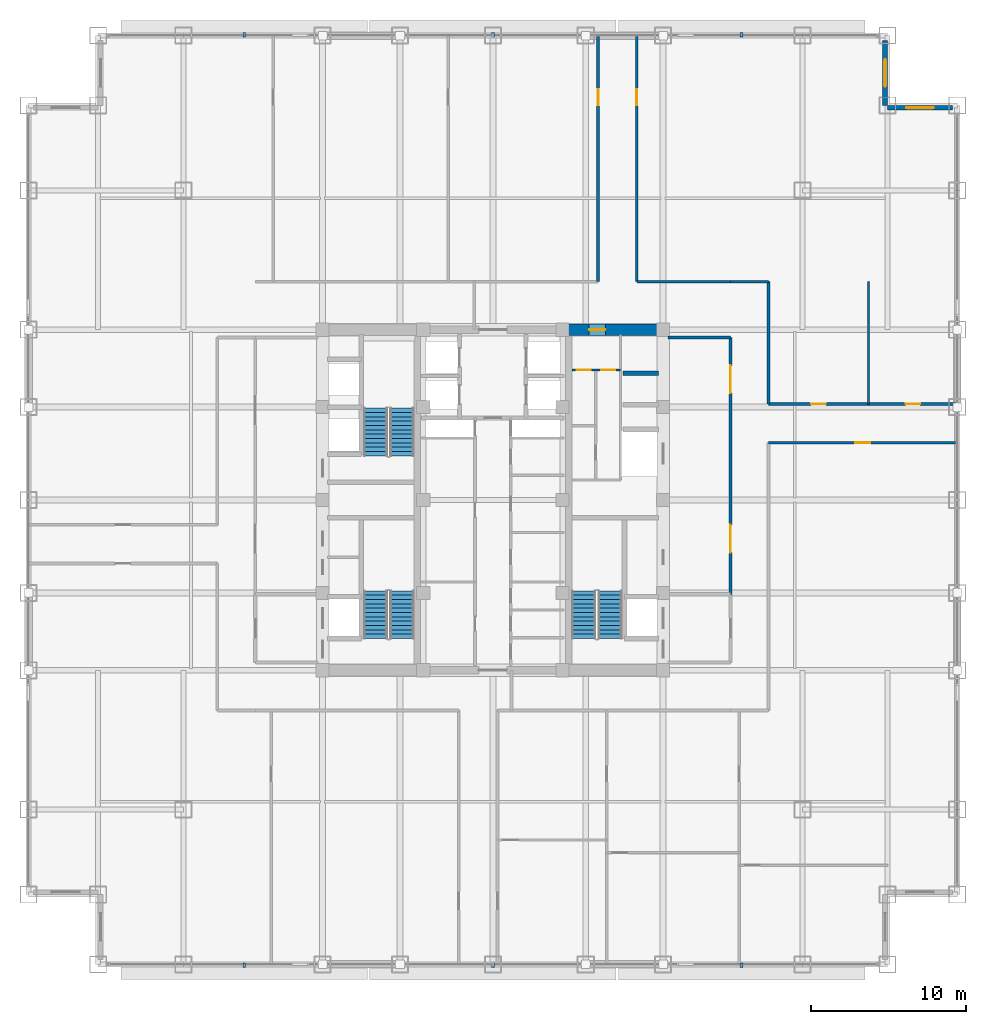
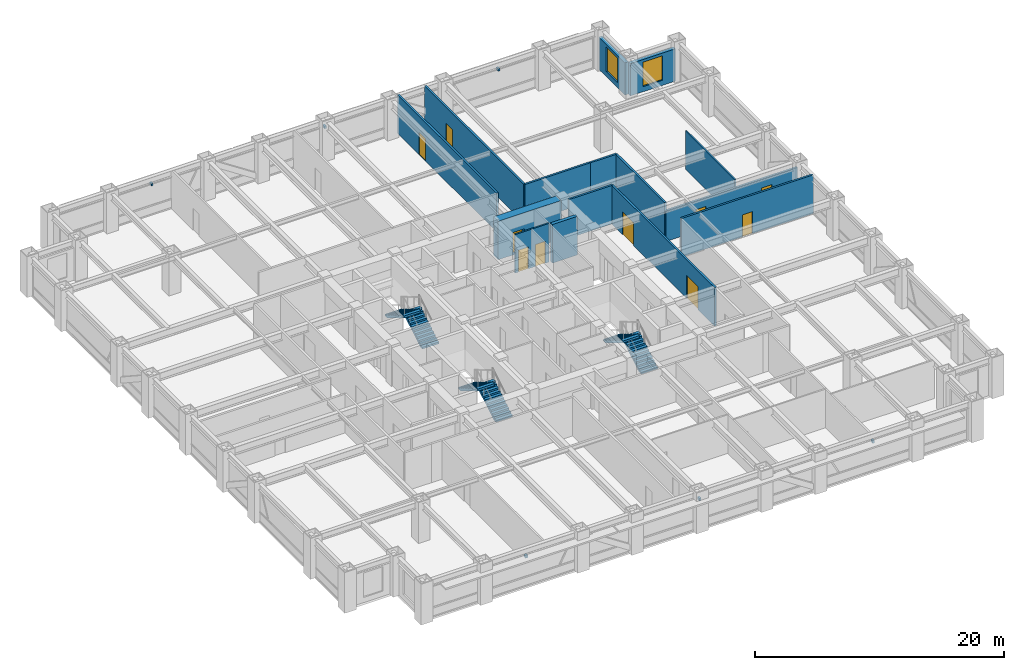
# One storey, part 23 of 28: 15 walls, 10 doors, 6 discrete accessories, 6 stair flights, 2 windows, 12 openings, 3 elements without a shape of their own.
"""IFC4 building model written with IfcOpenShell, lengths in metres."""

from ifc_helpers import new_model, si_unit, direction, frame, frame_2d, origin, origin_2d, place, context, subcontext, project, spatial, polyline, rectangle, outline, extrude, source, transform, mapped, material, layer, layer_set, type_object, element, fill, aggregate, save


model = new_model("IFC4")

# Units and contexts
model_context = context("Model", 3, precision=1e-05, world=origin(), true_north=direction((0.0, 1.0)))
body_context = subcontext(model_context, "Body", "Model", "MODEL_VIEW")
ifc_project = project(units=[si_unit("LENGTHUNIT", "METRE"), si_unit("AREAUNIT", "SQUARE_METRE"), si_unit("VOLUMEUNIT", "CUBIC_METRE"), si_unit("PLANEANGLEUNIT", "RADIAN"), si_unit("MASSUNIT", "GRAM", prefix="KILO")], contexts=[model_context])

# Site, building, storey
site_placement = place(None, origin())
site = spatial("IfcSite", under=ifc_project, at=site_placement, CompositionType="ELEMENT")
building_placement = place(site_placement, origin())
building = spatial("IfcBuilding", under=site, at=building_placement, Name="Khorayat Bourse Tower", CompositionType="ELEMENT")
storey_placement = place(building_placement, frame((0.0, 0.0, 191.10009765625)))
storey = spatial("IfcBuildingStorey", under=building, at=storey_placement, Name="L44", CompositionType="ELEMENT", Elevation=191.10009765625)

# Wall, opening, door
ifc_material_1 = material(Name="Concrete C72/90", Category="concrete")
ifc_layer_1 = layer(ifc_material_1, 0.75)
ifc_layer_set_1 = layer_set([ifc_layer_1], Name="Concrete C72/90")
wall_type_1 = type_object("IfcWallType", Name="WAL-CORE-750", PredefinedType="SHEAR", material=ifc_layer_set_1)
shared_shape_1 = source(origin(), body_context, "Body", "SweptSolid", [
    extrude(rectangle(XDim=5.849853515625, YDim=0.75, at=frame_2d((2.9248046875, 0.0))), origin(), (0.0, 0.0, 1.0), 3.77978515625),
])
wall_1_placement = place(storey_placement, frame((4.85009765625, 11.0, 0.0), z_axis=(0.0, 0.0, 1.0), x_axis=(1.0, 0.0, 0.0)))
wall_1 = element("IfcWall", 1, at=wall_1_placement, inside=storey, type_object=wall_type_1, Name="L44 Core Shear Wall PIER-EN", PredefinedType="SHEAR", context=body_context, shape_type="MappedRepresentation", body=[
    mapped(shared_shape_1, transform((0.0, 0.0, 0.0), scale=1.0)),
])
shared_shape_2 = source(origin(), body_context, "Body", "SweptSolid", [
    extrude(rectangle(XDim=1.050048828125, YDim=2.199951171875, at=frame_2d((0.52490234375, 1.10009765625))), frame((0.0, 0.385009765625, 0.0), z_axis=(0.0, -1.0, 0.0), x_axis=(1.0, 0.0, 0.0)), (0.0, 0.0, 1.0), 0.77001953125),
])
opening_1_placement = place(wall_1_placement, frame((1.375, 0.0, 0.0)))
opening_1 = element("IfcOpeningElement", 2, at=opening_1_placement, cuts=wall_1, Name="Opening DI-04", PredefinedType="OPENING", context=body_context, shape_type="MappedRepresentation", body=[
    mapped(shared_shape_2, transform((0.0, 0.0, 0.0), scale=1.0)),
])
ifc_material_2 = material(Name="Fire-rated oak veneer suite entrance door")
door_type_1 = type_object("IfcDoorType", Name="DR-INT-SUITE-1050", OperationType="NOTDEFINED", PredefinedType="DOOR", material=ifc_material_2)
shared_shape_3 = source(origin(), body_context, "Body", "SweptSolid", [
    extrude(rectangle(XDim=1.050048828125, YDim=2.199951171875, at=frame_2d((0.52490234375, 1.10009765625))), frame((0.0, 0.02490234375, 0.0), z_axis=(0.0, -1.0, 0.0), x_axis=(1.0, 0.0, 0.0)), (0.0, 0.0, 1.0), 0.050048828125),
])
door_1_placement = place(opening_1_placement, origin())
door_1 = element("IfcDoor", 3, at=door_1_placement, inside=storey, type_object=door_type_1, Name="L44 Core Washroom Lobby Door", OperationType="SINGLE_SWING_LEFT", OverallHeight=2.199951171875, OverallWidth=1.050048828125, PredefinedType="DOOR", context=body_context, shape_type="MappedRepresentation", body=[
    mapped(shared_shape_3, transform((0.0, 0.0, 0.0), scale=1.0)),
])
fill(opening_1, door_1)

# Wall, opening, window
ifc_material_3 = material(Name="Precast concrete C45/55", Category="concrete")
ifc_layer_2 = layer(ifc_material_3, 0.320068359375)
ifc_layer_set_2 = layer_set([ifc_layer_2], Name="Precast concrete C45/55")
wall_type_2 = type_object("IfcWallType", Name="WAL-EXT-STONE-320", PredefinedType="STANDARD", material=ifc_layer_set_2)
shared_shape_4 = source(origin(), body_context, "Body", "SweptSolid", [
    extrude(rectangle(XDim=4.179931640625, YDim=0.320068359375, at=frame_2d((2.08984375, 0.0))), origin(), (0.0, 0.0, 1.0), 3.163818359375),
])
wall_2_placement = place(storey_placement, frame((25.5, 25.340087890625, 0.0), z_axis=(0.0, 0.0, 1.0), x_axis=(1.0, 0.0, 0.0)))
wall_2 = element("IfcWall", 4, at=wall_2_placement, inside=storey, type_object=wall_type_2, Name="L44 Re-Entrant Notch Limestone Wall NE-H", PredefinedType="STANDARD", context=body_context, shape_type="MappedRepresentation", body=[
    mapped(shared_shape_4, transform((0.0, 0.0, 0.0), scale=1.0)),
])
shared_shape_5 = source(origin(), body_context, "Body", "SweptSolid", [
    extrude(rectangle(XDim=1.800048828125, YDim=2.39990234375, at=frame_2d((0.89990234375, 1.199951171875))), frame((0.0, 0.169921875, 0.0), z_axis=(0.0, -1.0, 0.0), x_axis=(1.0, 0.0, 0.0)), (0.0, 0.0, 1.0), 0.340087890625),
])
opening_2_placement = place(wall_2_placement, frame((1.18994140625, 0.0, 0.5)))
opening_2 = element("IfcOpeningElement", 5, at=opening_2_placement, cuts=wall_2, Name="Opening WN-04", PredefinedType="OPENING", context=body_context, shape_type="MappedRepresentation", body=[
    mapped(shared_shape_5, transform((0.0, 0.0, 0.0), scale=1.0)),
])
ifc_material_4 = material(Name="Low-E acoustic laminated double glazing", Category="glass")
window_type = type_object("IfcWindowType", Name="WIN-NOTCH-1800x2400", PartitioningType="SINGLE_PANEL", PredefinedType="WINDOW", material=ifc_material_4)
shared_shape_6 = source(origin(), body_context, "Body", "SweptSolid", [
    extrude(rectangle(XDim=1.800048828125, YDim=2.39990234375, at=frame_2d((0.89990234375, 1.199951171875))), frame((0.0, 0.030029296875, 0.0), z_axis=(0.0, -1.0, 0.0), x_axis=(1.0, 0.0, 0.0)), (0.0, 0.0, 1.0), 0.06005859375),
])
window_1_placement = place(opening_2_placement, origin())
window_1 = element("IfcWindow", 6, at=window_1_placement, inside=storey, type_object=window_type, Name="L44 Facade Window 1", OverallHeight=2.39990234375, OverallWidth=1.800048828125, PartitioningType="SINGLE_PANEL", PredefinedType="WINDOW", context=body_context, shape_type="MappedRepresentation", body=[
    mapped(shared_shape_6, transform((0.0, 0.0, 0.0), scale=1.0)),
])
fill(opening_2, window_1)

wall_3_placement = place(storey_placement, frame((25.340087890625, 25.5, 0.0), z_axis=(0.0, 0.0, 1.0), x_axis=(0.0, 1.0, 0.0)))
wall_3 = element("IfcWall", 7, at=wall_3_placement, inside=storey, type_object=wall_type_2, Name="L44 Re-Entrant Notch Limestone Wall NE-V", PredefinedType="STANDARD", context=body_context, shape_type="MappedRepresentation", body=[
    mapped(shared_shape_4, transform((0.0, 0.0, 0.0), scale=1.0)),
])
opening_3_placement = place(wall_3_placement, frame((1.18994140625, 0.0, 0.5)))
opening_3 = element("IfcOpeningElement", 8, at=opening_3_placement, cuts=wall_3, Name="Opening WN-04", PredefinedType="OPENING", context=body_context, shape_type="MappedRepresentation", body=[
    mapped(shared_shape_5, transform((0.0, 0.0, 0.0), scale=1.0)),
])
window_2_placement = place(opening_3_placement, origin())
window_2 = element("IfcWindow", 9, at=window_2_placement, inside=storey, type_object=window_type, Name="L44 Facade Window 1", OverallHeight=2.39990234375, OverallWidth=1.800048828125, PartitioningType="SINGLE_PANEL", PredefinedType="WINDOW", context=body_context, shape_type="MappedRepresentation", body=[
    mapped(shared_shape_6, transform((0.0, 0.0, 0.0), scale=1.0)),
])
fill(opening_3, window_2)

# Wall
ifc_material_5 = material(Name="Concrete C50/60", Category="concrete")
ifc_layer_3 = layer(ifc_material_5, 0.300048828125)
ifc_layer_set_3 = layer_set([ifc_layer_3], Name="Concrete C50/60")
wall_type_3 = type_object("IfcWallType", Name="WAL-SHAFT-300", PredefinedType="SHEAR", material=ifc_layer_set_3)
shared_shape_7 = source(origin(), body_context, "Body", "SweptSolid", [
    extrude(rectangle(XDim=2.300048828125, YDim=0.300048828125, at=frame_2d((1.14990234375, 0.0))), origin(), (0.0, 0.0, 1.0), 3.77978515625),
])
wall_4_placement = place(storey_placement, frame((8.39990234375, 8.199951171875, 0.0), z_axis=(0.0, 0.0, 1.0), x_axis=(1.0, 0.0, 0.0)))
element("IfcWall", 10, at=wall_4_placement, inside=storey, type_object=wall_type_3, Name="L44 Partition WAL-L44-EPIER-H34", PredefinedType="SHEAR", context=body_context, shape_type="MappedRepresentation", body=[
    mapped(shared_shape_7, transform((0.0, 0.0, 0.0), scale=1.0)),
])

# Wall, openings, doors
ifc_material_6 = material(Name="Moisture-resistant masonry partition", Category="masonry")
ifc_layer_4 = layer(ifc_material_6, 0.139892578125)
ifc_layer_set_4 = layer_set([ifc_layer_4], Name="Moisture-resistant masonry partition")
wall_type_4 = type_object("IfcWallType", Name="WAL-PART-WET-140", PredefinedType="PARTITIONING", material=ifc_layer_set_4)
shared_shape_8 = source(origin(), body_context, "Body", "SweptSolid", [
    extrude(rectangle(XDim=3.14990234375, YDim=0.139892578125, at=frame_2d((1.574951171875, 0.0))), origin(), (0.0, 0.0, 1.0), 3.77978515625),
])
wall_5_placement = place(storey_placement, frame((5.10009765625, 8.39990234375, 0.0), z_axis=(0.0, 0.0, 1.0), x_axis=(1.0, 0.0, 0.0)))
wall_5 = element("IfcWall", 11, at=wall_5_placement, inside=storey, type_object=wall_type_4, Name="L44 Partition WAL-L44-ECW-TOP", PredefinedType="PARTITIONING", context=body_context, shape_type="MappedRepresentation", body=[
    mapped(shared_shape_8, transform((0.0, 0.0, 0.0), scale=1.0)),
])
shared_shape_9 = source(origin(), body_context, "Body", "SweptSolid", [
    extrude(rectangle(XDim=0.89990234375, YDim=2.14990234375, at=frame_2d((0.449951171875, 1.074951171875))), frame((0.0, 0.079833984375, 0.0), z_axis=(0.0, -1.0, 0.0), x_axis=(1.0, 0.0, 0.0)), (0.0, 0.0, 1.0), 0.159912109375),
])
opening_4_placement = place(wall_5_placement, frame((0.330078125, 0.0, 0.0)))
opening_4 = element("IfcOpeningElement", 12, at=opening_4_placement, cuts=wall_5, Name="Opening DI-06", PredefinedType="OPENING", context=body_context, shape_type="MappedRepresentation", body=[
    mapped(shared_shape_9, transform((0.0, 0.0, 0.0), scale=1.0)),
])
opening_5_placement = place(wall_5_placement, frame((1.89990234375, 0.0, 0.0)))
opening_5 = element("IfcOpeningElement", 13, at=opening_5_placement, cuts=wall_5, Name="Opening DI-06", PredefinedType="OPENING", context=body_context, shape_type="MappedRepresentation", body=[
    mapped(shared_shape_9, transform((0.0, 0.0, 0.0), scale=1.0)),
])
ifc_material_7 = material(Name="Moisture-resistant laminate washroom door")
door_type_2 = type_object("IfcDoorType", Name="DR-INT-WC-900", OperationType="NOTDEFINED", PredefinedType="DOOR", material=ifc_material_7)
shared_shape_10 = source(origin(), body_context, "Body", "SweptSolid", [
    extrude(rectangle(XDim=0.89990234375, YDim=2.14990234375, at=frame_2d((0.449951171875, 1.074951171875))), frame((0.0, 0.02490234375, 0.0), z_axis=(0.0, -1.0, 0.0), x_axis=(1.0, 0.0, 0.0)), (0.0, 0.0, 1.0), 0.050048828125),
])
door_2_placement = place(opening_4_placement, origin())
door_2 = element("IfcDoor", 14, at=door_2_placement, inside=storey, type_object=door_type_2, Name="L44 Accessible WC Door", OperationType="SINGLE_SWING_LEFT", OverallHeight=2.14990234375, OverallWidth=0.89990234375, PredefinedType="DOOR", context=body_context, shape_type="MappedRepresentation", body=[
    mapped(shared_shape_10, transform((0.0, 0.0, 0.0), scale=1.0)),
])
fill(opening_4, door_2)
door_3_placement = place(opening_5_placement, origin())
door_3 = element("IfcDoor", 15, at=door_3_placement, inside=storey, type_object=door_type_2, Name="L44 Shared Washroom Door", OperationType="SINGLE_SWING_RIGHT", OverallHeight=2.14990234375, OverallWidth=0.89990234375, PredefinedType="DOOR", context=body_context, shape_type="MappedRepresentation", body=[
    mapped(shared_shape_10, transform((0.0, 0.0, 0.0), scale=1.0)),
])
fill(opening_5, door_3)

# Wall
ifc_material_8 = material(Name="Gypsum plasterboard acoustic stud wall")
ifc_layer_5 = layer(ifc_material_8, 0.179931640625)
ifc_layer_set_5 = layer_set([ifc_layer_5], Name="Gypsum plasterboard acoustic stud wall")
wall_type_5 = type_object("IfcWallType", Name="WAL-PART-CORR-180", PredefinedType="PARTITIONING", material=ifc_layer_set_5)
shared_shape_11 = source(origin(), body_context, "Body", "SweptSolid", [
    extrude(rectangle(XDim=4.050048828125, YDim=0.179931640625, at=frame_2d((2.02490234375, 0.0))), origin(), (0.0, 0.0, 1.0), 3.77978515625),
])
wall_6_placement = place(storey_placement, frame((11.300048828125, 10.5, 0.0), z_axis=(0.0, 0.0, 1.0), x_axis=(1.0, 0.0, 0.0)))
element("IfcWall", 16, at=wall_6_placement, inside=storey, type_object=wall_type_5, Name="L44 Partition WAL-L44-ELOB-N", PredefinedType="PARTITIONING", context=body_context, shape_type="MappedRepresentation", body=[
    mapped(shared_shape_11, transform((0.0, 0.0, 0.0), scale=1.0)),
])

# Wall, openings, doors
shared_shape_12 = source(origin(), body_context, "Body", "SweptSolid", [
    extrude(rectangle(XDim=16.60009765625, YDim=0.179931640625, at=frame_2d((8.300048828125, 0.0))), origin(), (0.0, 0.0, 1.0), 3.77978515625),
])
wall_7_placement = place(storey_placement, frame((15.35009765625, -6.10009765625, 0.0), z_axis=(0.0, 0.0, 1.0), x_axis=(0.0, 1.0, 0.0)))
wall_7 = element("IfcWall", 17, at=wall_7_placement, inside=storey, type_object=wall_type_5, Name="L44 Partition WAL-L44-ELOB-E", PredefinedType="PARTITIONING", context=body_context, shape_type="MappedRepresentation", body=[
    mapped(shared_shape_12, transform((0.0, 0.0, 0.0), scale=1.0)),
])
shared_shape_13 = source(origin(), body_context, "Body", "SweptSolid", [
    extrude(rectangle(XDim=1.800048828125, YDim=2.25, at=frame_2d((0.89990234375, 1.125))), frame((0.0, 0.099853515625, 0.0), z_axis=(0.0, -1.0, 0.0), x_axis=(1.0, 0.0, 0.0)), (0.0, 0.0, 1.0), 0.199951171875),
])
opening_6_placement = place(wall_7_placement, frame((2.699951171875, 0.0, 0.0)))
opening_6 = element("IfcOpeningElement", 18, at=opening_6_placement, cuts=wall_7, Name="Opening DI-03", PredefinedType="OPENING", context=body_context, shape_type="MappedRepresentation", body=[
    mapped(shared_shape_13, transform((0.0, 0.0, 0.0), scale=1.0)),
])
opening_7_placement = place(wall_7_placement, frame((13.0, 0.0, 0.0)))
opening_7 = element("IfcOpeningElement", 19, at=opening_7_placement, cuts=wall_7, Name="Opening DI-03", PredefinedType="OPENING", context=body_context, shape_type="MappedRepresentation", body=[
    mapped(shared_shape_13, transform((0.0, 0.0, 0.0), scale=1.0)),
])
ifc_material_9 = material(Name="Fire-rated hardwood vision-panel double leaf", Category="wood")
door_type_3 = type_object("IfcDoorType", Name="DR-INT-CORR-1800", OperationType="NOTDEFINED", PredefinedType="DOOR", material=ifc_material_9)
shared_shape_14 = source(origin(), body_context, "Body", "SweptSolid", [
    extrude(rectangle(XDim=1.800048828125, YDim=2.25, at=frame_2d((0.89990234375, 1.125))), frame((0.0, 0.02490234375, 0.0), z_axis=(0.0, -1.0, 0.0), x_axis=(1.0, 0.0, 0.0)), (0.0, 0.0, 1.0), 0.050048828125),
])
door_4_placement = place(opening_6_placement, origin())
door_4 = element("IfcDoor", 20, at=door_4_placement, inside=storey, type_object=door_type_3, Name="L44 East Core Lobby South Door", OperationType="SINGLE_SWING_RIGHT", OverallHeight=2.25, OverallWidth=1.800048828125, PredefinedType="DOOR", context=body_context, shape_type="MappedRepresentation", body=[
    mapped(shared_shape_14, transform((0.0, 0.0, 0.0), scale=1.0)),
])
fill(opening_6, door_4)
door_5_placement = place(opening_7_placement, origin())
door_5 = element("IfcDoor", 21, at=door_5_placement, inside=storey, type_object=door_type_3, Name="L44 East Core Lobby North Door", OperationType="SINGLE_SWING_LEFT", OverallHeight=2.25, OverallWidth=1.800048828125, PredefinedType="DOOR", context=body_context, shape_type="MappedRepresentation", body=[
    mapped(shared_shape_14, transform((0.0, 0.0, 0.0), scale=1.0)),
])
fill(opening_7, door_5)

# Wall
shared_shape_15 = source(origin(), body_context, "Body", "SweptSolid", [
    extrude(rectangle(XDim=2.449951171875, YDim=0.179931640625, at=frame_2d((1.22509765625, 0.0))), origin(), (0.0, 0.0, 1.0), 3.77978515625),
])
wall_8_placement = place(storey_placement, frame((15.35009765625, 14.10009765625, 0.0), z_axis=(0.0, 0.0, 1.0), x_axis=(1.0, 0.0, 0.0)))
element("IfcWall", 22, at=wall_8_placement, inside=storey, type_object=wall_type_5, Name="L44 Partition WAL-L44-C2-EN", PredefinedType="PARTITIONING", context=body_context, shape_type="MappedRepresentation", body=[
    mapped(shared_shape_15, transform((0.0, 0.0, 0.0), scale=1.0)),
])

# Wall, opening, door
shared_shape_16 = source(origin(), body_context, "Body", "SweptSolid", [
    extrude(rectangle(XDim=12.199951171875, YDim=0.179931640625, at=frame_2d((6.10009765625, 0.0))), origin(), (0.0, 0.0, 1.0), 3.77978515625),
])
wall_9_placement = place(storey_placement, frame((17.800048828125, 3.699951171875, 0.0), z_axis=(0.0, 0.0, 1.0), x_axis=(1.0, 0.0, 0.0)))
wall_9 = element("IfcWall", 23, at=wall_9_placement, inside=storey, type_object=wall_type_5, Name="L44 Partition WAL-L44-ES-SPK", PredefinedType="PARTITIONING", context=body_context, shape_type="MappedRepresentation", body=[
    mapped(shared_shape_16, transform((0.0, 0.0, 0.0), scale=1.0)),
])
shared_shape_17 = source(origin(), body_context, "Body", "SweptSolid", [
    extrude(rectangle(XDim=0.949951171875, YDim=2.14990234375, at=frame_2d((0.47509765625, 1.074951171875))), frame((0.0, 0.099853515625, 0.0), z_axis=(0.0, -1.0, 0.0), x_axis=(1.0, 0.0, 0.0)), (0.0, 0.0, 1.0), 0.199951171875),
])
opening_8_placement = place(wall_9_placement, frame((5.625, 0.0, 0.0)))
opening_8 = element("IfcOpeningElement", 24, at=opening_8_placement, cuts=wall_9, Name="Opening DI-05", PredefinedType="OPENING", context=body_context, shape_type="MappedRepresentation", body=[
    mapped(shared_shape_17, transform((0.0, 0.0, 0.0), scale=1.0)),
])
ifc_material_10 = material(Name="Acoustic oak veneer office door")
door_type_4 = type_object("IfcDoorType", Name="DR-INT-OFFICE-950", OperationType="NOTDEFINED", PredefinedType="DOOR", material=ifc_material_10)
shared_shape_18 = source(origin(), body_context, "Body", "SweptSolid", [
    extrude(rectangle(XDim=0.949951171875, YDim=2.14990234375, at=frame_2d((0.47509765625, 1.074951171875))), frame((0.0, 0.02490234375, 0.0), z_axis=(0.0, -1.0, 0.0), x_axis=(1.0, 0.0, 0.0)), (0.0, 0.0, 1.0), 0.050048828125),
])
door_6_placement = place(opening_8_placement, origin())
door_6 = element("IfcDoor", 25, at=door_6_placement, inside=storey, type_object=door_type_4, Name="L44 Members Club Room ES Door", OperationType="SINGLE_SWING_LEFT", OverallHeight=2.14990234375, OverallWidth=0.949951171875, PredefinedType="DOOR", context=body_context, shape_type="MappedRepresentation", body=[
    mapped(shared_shape_18, transform((0.0, 0.0, 0.0), scale=1.0)),
])
fill(opening_8, door_6)

# Wall, openings, doors
shared_shape_19 = source(origin(), body_context, "Body", "SweptSolid", [
    extrude(rectangle(XDim=12.199951171875, YDim=0.179931640625, at=frame_2d((6.10009765625, 0.0))), origin(), (0.0, 0.0, 1.0), 3.0068359375),
])
wall_10_placement = place(storey_placement, frame((17.800048828125, 6.199951171875, 0.0), z_axis=(0.0, 0.0, 1.0), x_axis=(1.0, 0.0, 0.0)))
wall_10 = element("IfcWall", 26, at=wall_10_placement, inside=storey, type_object=wall_type_5, Name="L44 Partition WAL-L44-EN-SPK", PredefinedType="PARTITIONING", context=body_context, shape_type="MappedRepresentation", body=[
    mapped(shared_shape_19, transform((0.0, 0.0, 0.0), scale=1.0)),
])
opening_9_placement = place(wall_10_placement, frame((2.758056640625, 0.0, 0.0)))
opening_9 = element("IfcOpeningElement", 27, at=opening_9_placement, cuts=wall_10, Name="Opening DI-05", PredefinedType="OPENING", context=body_context, shape_type="MappedRepresentation", body=[
    mapped(shared_shape_17, transform((0.0, 0.0, 0.0), scale=1.0)),
])
opening_10_placement = place(wall_10_placement, frame((8.85791015625, 0.0, 0.0)))
opening_10 = element("IfcOpeningElement", 28, at=opening_10_placement, cuts=wall_10, Name="Opening DI-05", PredefinedType="OPENING", context=body_context, shape_type="MappedRepresentation", body=[
    mapped(shared_shape_17, transform((0.0, 0.0, 0.0), scale=1.0)),
])
door_7_placement = place(opening_9_placement, origin())
door_7 = element("IfcDoor", 29, at=door_7_placement, inside=storey, type_object=door_type_4, Name="L44 Executive Wellness Fitness Gym ENA Door", OperationType="SINGLE_SWING_LEFT", OverallHeight=2.14990234375, OverallWidth=0.949951171875, PredefinedType="DOOR", context=body_context, shape_type="MappedRepresentation", body=[
    mapped(shared_shape_18, transform((0.0, 0.0, 0.0), scale=1.0)),
])
fill(opening_9, door_7)
door_8_placement = place(opening_10_placement, origin())
door_8 = element("IfcDoor", 30, at=door_8_placement, inside=storey, type_object=door_type_4, Name="L44 Members Dining Room ENB Door", OperationType="SINGLE_SWING_RIGHT", OverallHeight=2.14990234375, OverallWidth=0.949951171875, PredefinedType="DOOR", context=body_context, shape_type="MappedRepresentation", body=[
    mapped(shared_shape_18, transform((0.0, 0.0, 0.0), scale=1.0)),
])
fill(opening_10, door_8)

# Wall, opening, door
shared_shape_20 = source(origin(), body_context, "Body", "SweptSolid", [
    extrude(rectangle(XDim=15.89990234375, YDim=0.179931640625, at=frame_2d((7.949951171875, 0.0))), origin(), (0.0, 0.0, 1.0), 3.77978515625),
])
wall_11_placement = place(storey_placement, frame((6.800048828125, 14.10009765625, 0.0), z_axis=(0.0, 0.0, 1.0), x_axis=(0.0, 1.0, 0.0)))
wall_11 = element("IfcWall", 31, at=wall_11_placement, inside=storey, type_object=wall_type_5, Name="L44 Partition WAL-L44-QNW-SPK", PredefinedType="PARTITIONING", context=body_context, shape_type="MappedRepresentation", body=[
    mapped(shared_shape_20, transform((0.0, 0.0, 0.0), scale=1.0)),
])
shared_shape_21 = source(origin(), body_context, "Body", "SweptSolid", [
    extrude(rectangle(XDim=1.050048828125, YDim=2.199951171875, at=frame_2d((0.52490234375, 1.10009765625))), frame((0.0, 0.099853515625, 0.0), z_axis=(0.0, -1.0, 0.0), x_axis=(1.0, 0.0, 0.0)), (0.0, 0.0, 1.0), 0.199951171875),
])
opening_11_placement = place(wall_11_placement, frame((11.39990234375, 0.0, 0.0)))
opening_11 = element("IfcOpeningElement", 32, at=opening_11_placement, cuts=wall_11, Name="Opening DI-04", PredefinedType="OPENING", context=body_context, shape_type="MappedRepresentation", body=[
    mapped(shared_shape_21, transform((0.0, 0.0, 0.0), scale=1.0)),
])
door_9_placement = place(opening_11_placement, origin())
door_9 = element("IfcDoor", 33, at=door_9_placement, inside=storey, type_object=door_type_1, Name="L44 North-West Radial Spoke Entry", OperationType="SINGLE_SWING_LEFT", OverallHeight=2.199951171875, OverallWidth=1.050048828125, PredefinedType="DOOR", context=body_context, shape_type="MappedRepresentation", body=[
    mapped(shared_shape_3, transform((0.0, 0.0, 0.0), scale=1.0)),
])
fill(opening_11, door_9)

wall_12_placement = place(storey_placement, frame((9.300048828125, 14.10009765625, 0.0), z_axis=(0.0, 0.0, 1.0), x_axis=(0.0, 1.0, 0.0)))
wall_12 = element("IfcWall", 34, at=wall_12_placement, inside=storey, type_object=wall_type_5, Name="L44 Partition WAL-L44-QNE-SPK", PredefinedType="PARTITIONING", context=body_context, shape_type="MappedRepresentation", body=[
    mapped(shared_shape_20, transform((0.0, 0.0, 0.0), scale=1.0)),
])
opening_12_placement = place(wall_12_placement, frame((11.39990234375, 0.0, 0.0)))
opening_12 = element("IfcOpeningElement", 35, at=opening_12_placement, cuts=wall_12, Name="Opening DI-04", PredefinedType="OPENING", context=body_context, shape_type="MappedRepresentation", body=[
    mapped(shared_shape_21, transform((0.0, 0.0, 0.0), scale=1.0)),
])
door_10_placement = place(opening_12_placement, origin())
door_10 = element("IfcDoor", 36, at=door_10_placement, inside=storey, type_object=door_type_1, Name="L44 North-East Radial Spoke Entry", OperationType="SINGLE_SWING_LEFT", OverallHeight=2.199951171875, OverallWidth=1.050048828125, PredefinedType="DOOR", context=body_context, shape_type="MappedRepresentation", body=[
    mapped(shared_shape_3, transform((0.0, 0.0, 0.0), scale=1.0)),
])
fill(opening_12, door_10)

# Walls
shared_shape_22 = source(origin(), body_context, "Body", "SweptSolid", [
    extrude(rectangle(XDim=6.050048828125, YDim=0.179931640625, at=frame_2d((3.02490234375, 0.0))), origin(), (0.0, 0.0, 1.0), 3.77978515625),
])
wall_13_placement = place(storey_placement, frame((9.300048828125, 14.10009765625, 0.0), z_axis=(0.0, 0.0, 1.0), x_axis=(1.0, 0.0, 0.0)))
element("IfcWall", 37, at=wall_13_placement, inside=storey, type_object=wall_type_5, Name="L44 Partition WAL-L44-QNE-HC", PredefinedType="PARTITIONING", context=body_context, shape_type="MappedRepresentation", body=[
    mapped(shared_shape_22, transform((0.0, 0.0, 0.0), scale=1.0)),
])
ifc_material_11 = material(Name="Gypsum plasterboard partition")
ifc_layer_6 = layer(ifc_material_11, 0.125)
ifc_layer_set_6 = layer_set([ifc_layer_6], Name="Gypsum plasterboard partition")
wall_type_6 = type_object("IfcWallType", Name="WAL-PART-ROOM-125", PredefinedType="PARTITIONING", material=ifc_layer_set_6)
shared_shape_23 = source(origin(), body_context, "Body", "SweptSolid", [
    extrude(rectangle(XDim=7.900146484375, YDim=0.125, at=frame_2d((3.9501953125, 0.0))), origin(), (0.0, 0.0, 1.0), 3.77978515625),
])
wall_14_placement = place(storey_placement, frame((24.26611328125, 6.199951171875, 0.0), z_axis=(0.0, 0.0, 1.0), x_axis=(0.0, 1.0, 0.0)))
element("IfcWall", 38, at=wall_14_placement, inside=storey, type_object=wall_type_6, Name="L44 Partition WAL-L44-EN-DV", PredefinedType="PARTITIONING", context=body_context, shape_type="MappedRepresentation", body=[
    mapped(shared_shape_23, transform((0.0, 0.0, 0.0), scale=1.0)),
])
shared_shape_24 = source(origin(), body_context, "Body", "SweptSolid", [
    extrude(rectangle(XDim=7.900146484375, YDim=0.179931640625, at=frame_2d((3.9501953125, 0.0))), origin(), (0.0, 0.0, 1.0), 3.77978515625),
])
wall_15_placement = place(storey_placement, frame((17.800048828125, 6.199951171875, 0.0), z_axis=(0.0, 0.0, 1.0), x_axis=(0.0, 1.0, 0.0)))
element("IfcWall", 39, at=wall_15_placement, inside=storey, type_object=wall_type_5, Name="L44 Partition WAL-L44-EN-IN", PredefinedType="PARTITIONING", context=body_context, shape_type="MappedRepresentation", body=[
    mapped(shared_shape_24, transform((0.0, 0.0, 0.0), scale=1.0)),
])

# Stair, stair flights
ifc_material_12 = material(Name="Concrete C40/50", Category="concrete")
stair_type = type_object("IfcStairType", Name="STR-CORE-1550", PredefinedType="HALF_TURN_STAIR", material=ifc_material_12)
stair_1_placement = place(storey_placement, origin())
stair_1 = element("IfcStair", 40, at=stair_1_placement, inside=storey, type_object=stair_type, Name="L44 Exit Stair ST-1", PredefinedType="HALF_TURN_STAIR")
stair_flight_type = type_object("IfcStairFlightType", Name="FLT-CORE-1550", PredefinedType="STRAIGHT", material=ifc_material_12)
shared_shape_25 = source(origin(), body_context, "Body", "SweptSolid", [
    extrude(outline(polyline([(0.0, 0.0), (0.0, 0.166748046875), (0.280029296875, 0.166748046875), (0.280029296875, 0.333251953125), (0.56005859375, 0.333251953125), (0.56005859375, 0.5), (0.840087890625, 0.5), (0.840087890625, 0.666748046875), (1.1201171875, 0.666748046875), (1.1201171875, 0.833251953125), (1.39990234375, 0.833251953125), (1.39990234375, 1.0), (1.679931640625, 1.0), (1.679931640625, 1.166748046875), (1.9599609375, 1.166748046875), (1.9599609375, 1.333251953125), (2.239990234375, 1.333251953125), (2.239990234375, 1.5), (2.52001953125, 1.5), (2.52001953125, 1.666748046875), (2.800048828125, 1.666748046875), (2.800048828125, 1.833251953125), (3.080078125, 1.833251953125), (3.080078125, 2.0), (3.080078125, 1.6240234375), (0.351806640625, 0.0), (0.0, 0.0)])), frame((0.0, 0.77490234375, 0.0), z_axis=(0.0, -1.0, 0.0), x_axis=(1.0, 0.0, 0.0)), (0.0, 0.0, 1.0), 1.550048828125),
])
stair_flight_1_placement = place(storey_placement, frame((-5.875, -8.949951171875, 0.0), z_axis=(0.0, 0.0, 1.0), x_axis=(0.0, 1.0, 0.0)))
stair_flight_1 = element("IfcStairFlight", 41, at=stair_flight_1_placement, type_object=stair_flight_type, Name="ST-1 flight 1", NumberOfRisers=12, NumberOfTreads=11, PredefinedType="STRAIGHT", RiserHeight=0.166666667, TreadLength=0.28, context=body_context, shape_type="MappedRepresentation", body=[
    mapped(shared_shape_25, transform((0.0, 0.0, 0.0), scale=1.0)),
])
stair_flight_2_placement = place(storey_placement, frame((-7.574951171875, -5.8701171875, 2.0), z_axis=(0.0, 0.0, 1.0), x_axis=(0.0, -1.0, 0.0)))
stair_flight_2 = element("IfcStairFlight", 42, at=stair_flight_2_placement, type_object=stair_flight_type, Name="ST-1 flight 2", NumberOfRisers=12, NumberOfTreads=11, PredefinedType="STRAIGHT", RiserHeight=0.166666667, TreadLength=0.28, context=body_context, shape_type="MappedRepresentation", body=[
    mapped(shared_shape_25, transform((0.0, 0.0, 0.0), scale=1.0)),
])
aggregate(stair_1, [stair_flight_1, stair_flight_2])

stair_2_placement = place(storey_placement, origin())
stair_2 = element("IfcStair", 43, at=stair_2_placement, inside=storey, type_object=stair_type, Name="L44 Exit Stair ST-2", PredefinedType="HALF_TURN_STAIR")
stair_flight_3_placement = place(storey_placement, frame((-5.875, 2.85009765625, 0.0), z_axis=(0.0, 0.0, 1.0), x_axis=(0.0, 1.0, 0.0)))
stair_flight_3 = element("IfcStairFlight", 44, at=stair_flight_3_placement, type_object=stair_flight_type, Name="ST-2 flight 1", NumberOfRisers=12, NumberOfTreads=11, PredefinedType="STRAIGHT", RiserHeight=0.166666667, TreadLength=0.28, context=body_context, shape_type="MappedRepresentation", body=[
    mapped(shared_shape_25, transform((0.0, 0.0, 0.0), scale=1.0)),
])
stair_flight_4_placement = place(storey_placement, frame((-7.574951171875, 5.929931640625, 2.0), z_axis=(0.0, 0.0, 1.0), x_axis=(0.0, -1.0, 0.0)))
stair_flight_4 = element("IfcStairFlight", 45, at=stair_flight_4_placement, type_object=stair_flight_type, Name="ST-2 flight 2", NumberOfRisers=12, NumberOfTreads=11, PredefinedType="STRAIGHT", RiserHeight=0.166666667, TreadLength=0.28, context=body_context, shape_type="MappedRepresentation", body=[
    mapped(shared_shape_25, transform((0.0, 0.0, 0.0), scale=1.0)),
])
aggregate(stair_2, [stair_flight_3, stair_flight_4])

stair_3_placement = place(storey_placement, origin())
stair_3 = element("IfcStair", 46, at=stair_3_placement, inside=storey, type_object=stair_type, Name="L44 Exit Stair ST-3", PredefinedType="HALF_TURN_STAIR")
stair_flight_5_placement = place(storey_placement, frame((7.574951171875, -8.949951171875, 0.0), z_axis=(0.0, 0.0, 1.0), x_axis=(0.0, 1.0, 0.0)))
stair_flight_5 = element("IfcStairFlight", 47, at=stair_flight_5_placement, type_object=stair_flight_type, Name="ST-3 flight 1", NumberOfRisers=12, NumberOfTreads=11, PredefinedType="STRAIGHT", RiserHeight=0.166666667, TreadLength=0.28, context=body_context, shape_type="MappedRepresentation", body=[
    mapped(shared_shape_25, transform((0.0, 0.0, 0.0), scale=1.0)),
])
stair_flight_6_placement = place(storey_placement, frame((5.875, -5.8701171875, 2.0), z_axis=(0.0, 0.0, 1.0), x_axis=(0.0, -1.0, 0.0)))
stair_flight_6 = element("IfcStairFlight", 48, at=stair_flight_6_placement, type_object=stair_flight_type, Name="ST-3 flight 2", NumberOfRisers=12, NumberOfTreads=11, PredefinedType="STRAIGHT", RiserHeight=0.166666667, TreadLength=0.28, context=body_context, shape_type="MappedRepresentation", body=[
    mapped(shared_shape_25, transform((0.0, 0.0, 0.0), scale=1.0)),
])
aggregate(stair_3, [stair_flight_5, stair_flight_6])

# Discrete accessories
ifc_material_13 = material(Name="Steel EN 10025-2 S355J2", Category="steel")
discrete_accessory_type = type_object("IfcDiscreteAccessoryType", Name="ACC-SHADE-BRACKET", PredefinedType="BRACKET", material=ifc_material_13)
shared_shape_26 = source(origin(), body_context, "Body", "SweptSolid", [
    extrude(rectangle(XDim=0.179931640625, YDim=0.300048828125, at=origin_2d()), origin(), (0.0, 0.0, 1.0), 0.239990234375),
])
for number, where, z_axis, x_axis, name in (
    (49, (-16.066650390625, -30.06005859375, 2.8798828125), (0.0, 0.0, 1.0), (1.0, 0.0, 0.0), "L44 Sunshade Support Bracket S-1"),
    (50, (0.0, -30.06005859375, 2.8798828125), (0.0, 0.0, 1.0), (1.0, 0.0, 0.0), "L44 Sunshade Support Bracket S-2"),
    (51, (16.066650390625, -30.06005859375, 2.8798828125), (0.0, 0.0, 1.0), (1.0, 0.0, 0.0), "L44 Sunshade Support Bracket S-3"),
    (52, (-16.066650390625, 30.06005859375, 2.8798828125), (0.0, 0.0, 1.0), (1.0, 0.0, 0.0), "L44 Sunshade Support Bracket N-1"),
    (53, (0.0, 30.06005859375, 2.8798828125), (0.0, 0.0, 1.0), (1.0, 0.0, 0.0), "L44 Sunshade Support Bracket N-2"),
    (54, (16.066650390625, 30.06005859375, 2.8798828125), (0.0, 0.0, 1.0), (1.0, 0.0, 0.0), "L44 Sunshade Support Bracket N-3"),
):
    element("IfcDiscreteAccessory", number, at=place(storey_placement, frame(where, z_axis=z_axis, x_axis=x_axis)), inside=storey, type_object=discrete_accessory_type, Name=name, PredefinedType="BRACKET", context=body_context, shape_type="MappedRepresentation", body=[
        mapped(shared_shape_26, transform((0.0, 0.0, 0.0), scale=1.0)),
    ])

save(model, "model.ifc")
